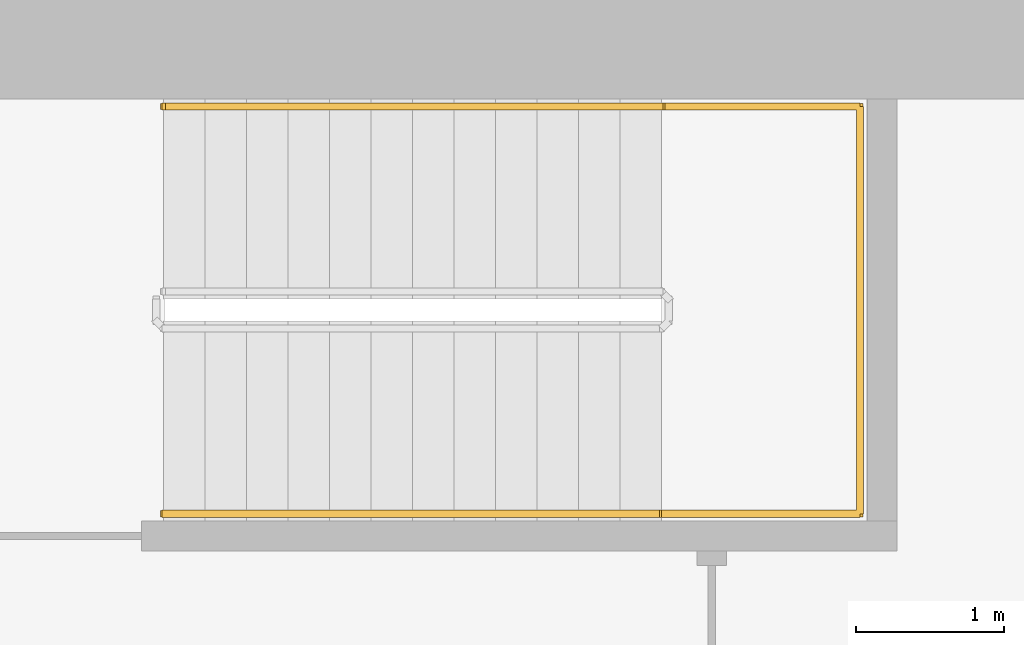
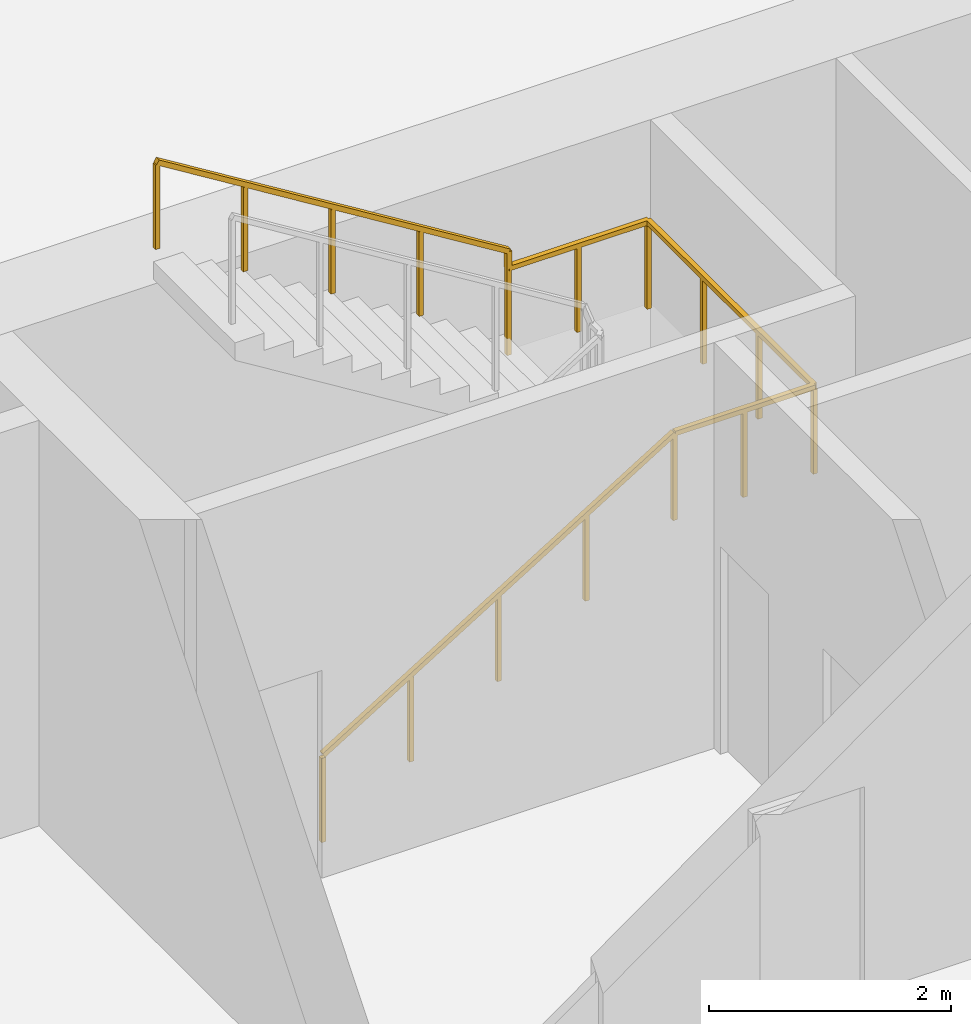
# One storey, part 9 of 9: 1 railing.
"""IFC4 building model written with IfcOpenShell, lengths in metres."""

from ifc_helpers import new_model, si_unit, direction, frame, origin, origin_2d, place, context, subcontext, project, spatial, rectangle, extrude, material, type_object, element, save


model = new_model("IFC4")

# Units and contexts
model_context = context("Model", 3, precision=1e-05, world=origin(), true_north=direction((0.0, 1.0)))
body_context = subcontext(model_context, "Body", "Model", "MODEL_VIEW")
ifc_project = project(units=[si_unit("LENGTHUNIT", "METRE"), si_unit("AREAUNIT", "SQUARE_METRE"), si_unit("VOLUMEUNIT", "CUBIC_METRE"), si_unit("PLANEANGLEUNIT", "RADIAN"), si_unit("MASSUNIT", "GRAM", prefix="KILO")], contexts=[model_context])

# Site, building, storey
site_placement = place(None, origin())
site = spatial("IfcSite", under=ifc_project, at=site_placement, CompositionType="ELEMENT")
building_placement = place(site_placement, origin())
building = spatial("IfcBuilding", under=site, at=building_placement, Name="Perihelion Cross Residences", CompositionType="ELEMENT")
storey_placement = place(building_placement, frame((0.0, 0.0, -4.5)))
storey = spatial("IfcBuildingStorey", under=building, at=storey_placement, Name="B1", CompositionType="ELEMENT", Elevation=-4.5)

# Railing
ifc_material = material(Name="Stainless steel", Category="steel")
railing_type = type_object("IfcRailingType", Name="Stair handrail 900", PredefinedType="HANDRAIL", material=ifc_material)
railing_placement = place(storey_placement, frame((23.39990234375, 5.300048828125, 0.173095703125)))
element("IfcRailing", 1, at=railing_placement, inside=storey, type_object=railing_type, Name="B1 ST-E1 stair handrail 1", PredefinedType="HANDRAIL", context=body_context, shape_type="SweptSolid", body=[
    extrude(rectangle(XDim=0.048095703125, YDim=0.048095703125, at=origin_2d()), frame((0.0, 0.0, 0.8759765625), z_axis=(0.850623216509, 0.0, 0.525775754039), x_axis=(0.0, 1.0, 0.0)), (0.0, 0.0, 1.0), 3.9501953125),
    extrude(rectangle(XDim=0.048095703125, YDim=0.048095703125, at=origin_2d()), frame((3.360107421875, 0.0, 2.95263671875), z_axis=(1.0, 0.0, 0.0), x_axis=(0.0, 1.0, 0.0)), (0.0, 0.0, 1.0), 1.340087890625),
    extrude(rectangle(XDim=0.048095703125, YDim=0.048095703125, at=origin_2d()), frame((4.7001953125, 0.0, 2.95263671875), z_axis=(0.0, 1.0, 0.0), x_axis=(-1.0, 0.0, 0.0)), (0.0, 0.0, 1.0), 2.75),
    extrude(rectangle(XDim=0.048095703125, YDim=0.048095703125, at=origin_2d()), frame((4.7001953125, 2.75, 2.95263671875), z_axis=(-1.0, 0.0, 0.0), x_axis=(0.0, -1.0, 0.0)), (0.0, 0.0, 1.0), 1.340087890625),
    extrude(rectangle(XDim=0.048095703125, YDim=0.048095703125, at=origin_2d()), frame((3.360107421875, 2.75, 2.95263671875), z_axis=(0.0, 0.0, 1.0), x_axis=(1.0, 0.0, 0.0)), (0.0, 0.0, 1.0), 0.173095703125),
    extrude(rectangle(XDim=0.048095703125, YDim=0.048095703125, at=origin_2d()), frame((3.360107421875, 2.75, 3.1259765625), z_axis=(-0.850623216509, 0.0, 0.525775754039), x_axis=(0.0, -1.0, 0.0)), (0.0, 0.0, 1.0), 3.9501953125),
    extrude(rectangle(XDim=0.0419921875, YDim=0.0419921875, at=origin_2d()), origin(), (0.0, 0.0, 1.0), 0.851806640625),
    extrude(rectangle(XDim=0.0419921875, YDim=0.0419921875, at=origin_2d()), frame((0.840087890625, 0.0, 0.519287109375)), (0.0, 0.0, 1.0), 0.851806640625),
    extrude(rectangle(XDim=0.0419921875, YDim=0.0419921875, at=origin_2d()), frame((1.68017578125, 0.0, 1.03857421875)), (0.0, 0.0, 1.0), 0.851806640625),
    extrude(rectangle(XDim=0.0419921875, YDim=0.0419921875, at=origin_2d()), frame((2.52001953125, 0.0, 1.5576171875)), (0.0, 0.0, 1.0), 0.851806640625),
    extrude(rectangle(XDim=0.0419921875, YDim=0.0419921875, at=origin_2d()), frame((3.360107421875, 0.0, 2.076904296875)), (0.0, 0.0, 1.0), 0.851806640625),
    extrude(rectangle(XDim=0.0419921875, YDim=0.0419921875, at=origin_2d()), frame((4.0302734375, 0.0, 2.076904296875)), (0.0, 0.0, 1.0), 0.851806640625),
    extrude(rectangle(XDim=0.0419921875, YDim=0.0419921875, at=origin_2d()), frame((4.7001953125, 0.0, 2.076904296875)), (0.0, 0.0, 1.0), 0.851806640625),
    extrude(rectangle(XDim=0.0419921875, YDim=0.0419921875, at=origin_2d()), frame((4.7001953125, 0.916748046875, 2.076904296875)), (0.0, 0.0, 1.0), 0.851806640625),
    extrude(rectangle(XDim=0.0419921875, YDim=0.0419921875, at=origin_2d()), frame((4.7001953125, 1.833251953125, 2.076904296875)), (0.0, 0.0, 1.0), 0.851806640625),
    extrude(rectangle(XDim=0.0419921875, YDim=0.0419921875, at=origin_2d()), frame((4.7001953125, 2.75, 2.076904296875)), (0.0, 0.0, 1.0), 0.851806640625),
    extrude(rectangle(XDim=0.0419921875, YDim=0.0419921875, at=origin_2d()), frame((4.0302734375, 2.75, 2.076904296875)), (0.0, 0.0, 1.0), 0.851806640625),
    extrude(rectangle(XDim=0.0419921875, YDim=0.0419921875, at=origin_2d()), frame((3.360107421875, 2.75, 2.076904296875)), (0.0, 0.0, 1.0), 0.851806640625),
    extrude(rectangle(XDim=0.0419921875, YDim=0.0419921875, at=origin_2d()), frame((3.360107421875, 2.75, 2.25)), (0.0, 0.0, 1.0), 0.851806640625),
    extrude(rectangle(XDim=0.0419921875, YDim=0.0419921875, at=origin_2d()), frame((2.52001953125, 2.75, 2.769287109375)), (0.0, 0.0, 1.0), 0.851806640625),
    extrude(rectangle(XDim=0.0419921875, YDim=0.0419921875, at=origin_2d()), frame((1.68017578125, 2.75, 3.28857421875)), (0.0, 0.0, 1.0), 0.851806640625),
    extrude(rectangle(XDim=0.0419921875, YDim=0.0419921875, at=origin_2d()), frame((0.840087890625, 2.75, 3.8076171875)), (0.0, 0.0, 1.0), 0.851806640625),
    extrude(rectangle(XDim=0.0419921875, YDim=0.0419921875, at=origin_2d()), frame((0.0, 2.75, 4.326904296875)), (0.0, 0.0, 1.0), 0.851806640625),
])

save(model, "model.ifc")
